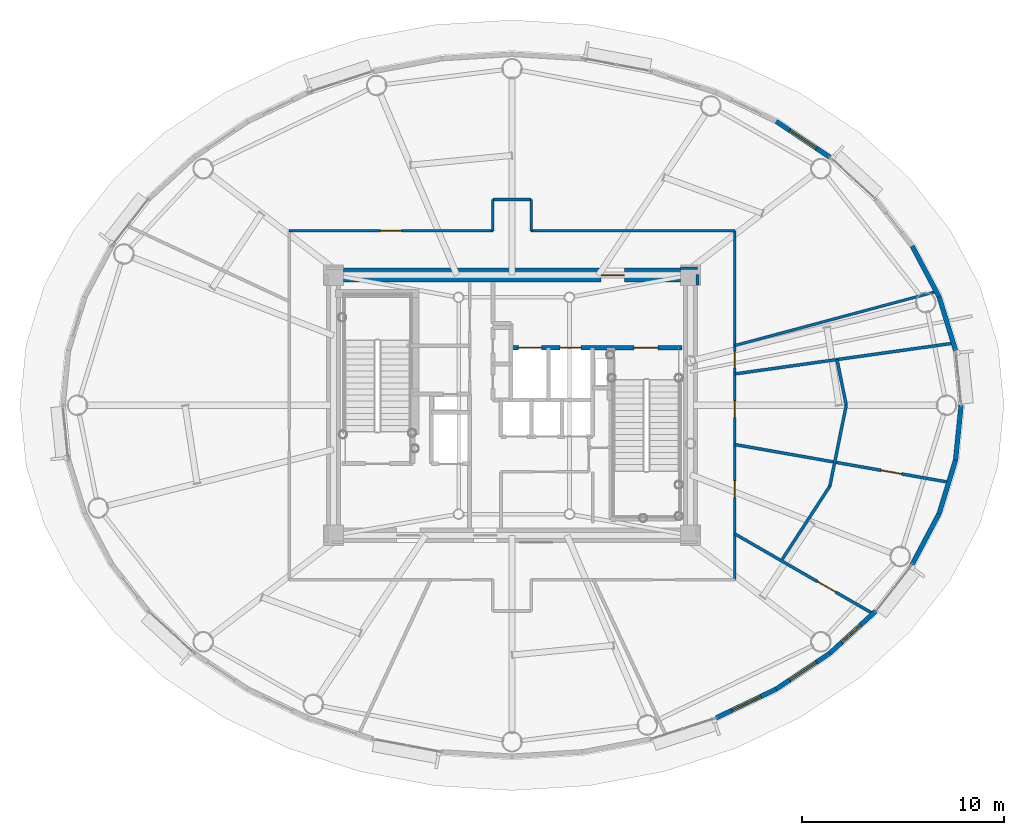
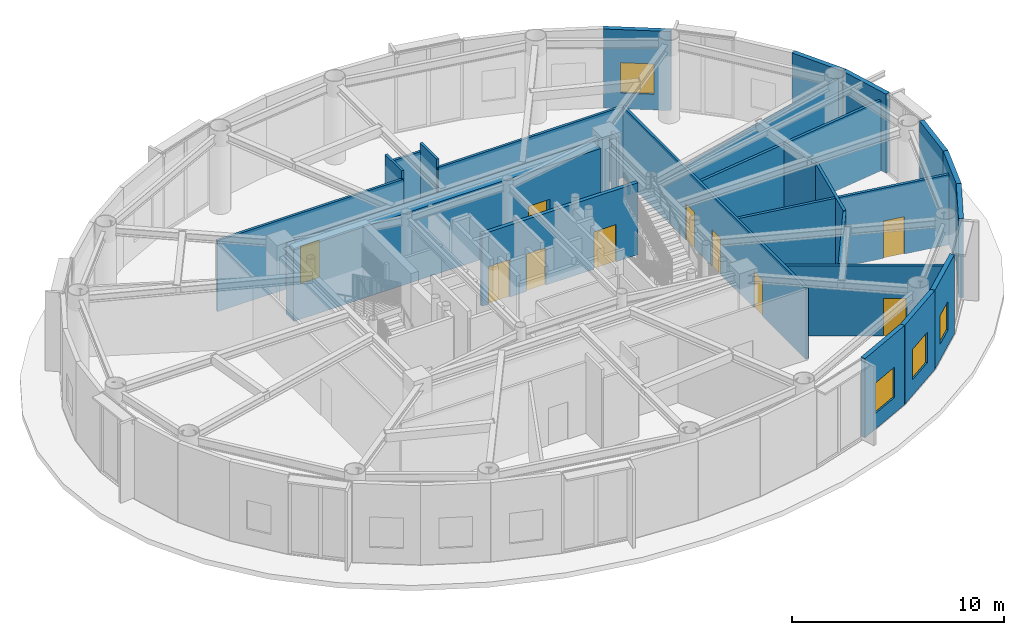
# One storey, part 24 of 32: 26 walls, 10 doors, 4 windows, 14 openings.
"""IFC4 building model written with IfcOpenShell, lengths in metres."""

from ifc_helpers import new_model, si_unit, direction, frame, frame_2d, origin, origin_2d, place, context, subcontext, project, spatial, rectangle, extrude, source, transform, mapped, material, layer, layer_set, type_object, element, fill, save


model = new_model("IFC4")

# Units and contexts
model_context = context("Model", 3, precision=1e-05, world=origin(), true_north=direction((0.0, 1.0)))
body_context = subcontext(model_context, "Body", "Model", "MODEL_VIEW")
ifc_project = project(units=[si_unit("LENGTHUNIT", "METRE"), si_unit("AREAUNIT", "SQUARE_METRE"), si_unit("VOLUMEUNIT", "CUBIC_METRE"), si_unit("PLANEANGLEUNIT", "RADIAN"), si_unit("MASSUNIT", "GRAM", prefix="KILO")], contexts=[model_context])

# Site, building, storey
site_placement = place(None, origin())
site = spatial("IfcSite", under=ifc_project, at=site_placement, CompositionType="ELEMENT")
building_placement = place(site_placement, origin())
building = spatial("IfcBuilding", under=site, at=building_placement, Name="Linh Dai School and Residence Tower", CompositionType="ELEMENT")
storey_placement = place(building_placement, frame((0.0, 0.0, 268.199951171875)))
storey = spatial("IfcBuildingStorey", under=building, at=storey_placement, Name="L66", CompositionType="ELEMENT", Elevation=268.199951171875)

# Walls
ifc_material_1 = material(Name="Precast Concrete B45 (C35/45)", Category="concrete")
ifc_layer_1 = layer(ifc_material_1, 0.239990234375)
ifc_layer_set_1 = layer_set([ifc_layer_1], Name="Precast Concrete B45 (C35/45)")
wall_type_1 = type_object("IfcWallType", Name="EW-TC-240", PredefinedType="SOLIDWALL", material=ifc_layer_set_1)
wall_1_placement = place(storey_placement, frame((57.188232421875, 32.372314453125, 0.0), z_axis=(0.0, 0.0, 1.0), x_axis=(0.2931213403, -0.956075248012, 0.0)))
element("IfcWall", 1, at=wall_1_placement, inside=storey, type_object=wall_type_1, Name="L66 Terracotta Exterior Wall 02", PredefinedType="SOLIDWALL", context=body_context, shape_type="SweptSolid", body=[
    extrude(rectangle(XDim=2.775146484375, YDim=0.239990234375, at=frame_2d((1.3876953125, 0.0))), origin(), (0.0, 0.0, 1.0), 4.550048828125),
])
wall_2_placement = place(storey_placement, frame((55.853759765625, 34.894775390625, 0.0), z_axis=(0.0, 0.0, 1.0), x_axis=(0.467628269026, -0.883925224218, 0.0)))
element("IfcWall", 2, at=wall_2_placement, inside=storey, type_object=wall_type_1, Name="L66 Terracotta Exterior Wall 03", PredefinedType="SOLIDWALL", context=body_context, shape_type="SweptSolid", body=[
    extrude(rectangle(XDim=2.853759765625, YDim=0.239990234375, at=frame_2d((1.4267578125, 0.0))), origin(), (0.0, 0.0, 1.0), 4.550048828125),
])

# Wall, opening, window
wall_3_placement = place(storey_placement, frame((49.1044921875, 41.08154296875, 0.0), z_axis=(0.0, 0.0, 1.0), x_axis=(0.831250592635, -0.55589787933, 0.0)))
wall_3 = element("IfcWall", 3, at=wall_3_placement, inside=storey, type_object=wall_type_1, Name="L66 Terracotta Exterior Wall 06", PredefinedType="SOLIDWALL", context=body_context, shape_type="SweptSolid", body=[
    extrude(rectangle(XDim=3.197265625, YDim=0.239990234375, at=frame_2d((1.5986328125, 0.0))), origin(), (0.0, 0.0, 1.0), 4.550048828125),
])
opening_1_placement = place(wall_3_placement, frame((0.79833984375, 0.0, 0.89990234375)))
opening_1 = element("IfcOpeningElement", 4, at=opening_1_placement, cuts=wall_3, Name="Opening W2", PredefinedType="OPENING", context=body_context, shape_type="SweptSolid", body=[
    extrude(rectangle(XDim=1.60009765625, YDim=1.75, at=origin_2d()), frame((0.800048828125, 0.1298828125, 0.875), z_axis=(0.0, -1.0, 0.0), x_axis=(1.0, 0.0, 0.0)), (0.0, 0.0, 1.0), 0.260009765625),
])
ifc_material_2 = material(Name="Double Low-E Insulated Glazing", Category="glass")
window_type_1 = type_object("IfcWindowType", Name="WN-RES-1600x1750", PartitioningType="DOUBLE_PANEL_VERTICAL", PredefinedType="WINDOW", material=ifc_material_2)
shared_shape_1 = source(origin(), body_context, "Body", "SweptSolid", [
    extrude(rectangle(XDim=1.60009765625, YDim=1.75, at=origin_2d()), frame((0.800048828125, 0.030029296875, 0.875), z_axis=(0.0, -1.0, 0.0), x_axis=(1.0, 0.0, 0.0)), (0.0, 0.0, 1.0), 0.06005859375),
])
window_1_placement = place(opening_1_placement, origin())
window_1 = element("IfcWindow", 5, at=window_1_placement, inside=storey, type_object=window_type_1, Name="L66 Exterior Window 06.1", OverallHeight=1.75, OverallWidth=1.60009765625, PartitioningType="DOUBLE_PANEL_VERTICAL", PredefinedType="WINDOW", context=body_context, shape_type="MappedRepresentation", body=[
    mapped(shared_shape_1, transform((0.0, 0.0, 0.0), x_axis=(1.0, 0.0, 0.0), y_axis=(0.0, 1.0, 0.0), z_axis=(0.0, 0.0, 1.0), scale=1.0)),
])
fill(opening_1, window_1)

wall_4_placement = place(storey_placement, frame((49.1044921875, 12.91845703125, 0.0), z_axis=(0.0, 0.0, 1.0), x_axis=(-0.901573741254, -0.43262546051, 0.0)))
wall_4 = element("IfcWall", 6, at=wall_4_placement, inside=storey, type_object=wall_type_1, Name="L66 Terracotta Exterior Wall 34", PredefinedType="SOLIDWALL", context=body_context, shape_type="SweptSolid", body=[
    extrude(rectangle(XDim=3.306884765625, YDim=0.239990234375, at=frame_2d((1.6533203125, 0.0))), origin(), (0.0, 0.0, 1.0), 4.550048828125),
])
opening_2_placement = place(wall_4_placement, frame((0.853515625, 0.0, 0.89990234375)))
opening_2 = element("IfcOpeningElement", 7, at=opening_2_placement, cuts=wall_4, Name="Opening W2", PredefinedType="OPENING", context=body_context, shape_type="SweptSolid", body=[
    extrude(rectangle(XDim=1.60009765625, YDim=1.75, at=origin_2d()), frame((0.800048828125, 0.1298828125, 0.875), z_axis=(0.0, -1.0, 0.0), x_axis=(1.0, 0.0, 0.0)), (0.0, 0.0, 1.0), 0.260009765625),
])
window_2_placement = place(opening_2_placement, origin())
window_2 = element("IfcWindow", 8, at=window_2_placement, inside=storey, type_object=window_type_1, Name="L66 Exterior Window 34.1", OverallHeight=1.75, OverallWidth=1.60009765625, PartitioningType="DOUBLE_PANEL_VERTICAL", PredefinedType="WINDOW", context=body_context, shape_type="MappedRepresentation", body=[
    mapped(shared_shape_1, transform((0.0, 0.0, 0.0), x_axis=(1.0, 0.0, 0.0), y_axis=(0.0, 1.0, 0.0), z_axis=(0.0, 0.0, 1.0), scale=1.0)),
])
fill(opening_2, window_2)

wall_5_placement = place(storey_placement, frame((51.76220703125, 14.69580078125, 0.0), z_axis=(0.0, 0.0, 1.0), x_axis=(-0.831250592635, -0.55589787933, 0.0)))
wall_5 = element("IfcWall", 9, at=wall_5_placement, inside=storey, type_object=wall_type_1, Name="L66 Terracotta Exterior Wall 35", PredefinedType="SOLIDWALL", context=body_context, shape_type="SweptSolid", body=[
    extrude(rectangle(XDim=3.197265625, YDim=0.239990234375, at=frame_2d((1.5986328125, 0.0))), origin(), (0.0, 0.0, 1.0), 4.550048828125),
])
opening_3_placement = place(wall_5_placement, frame((0.798583984375, 0.0, 0.89990234375)))
opening_3 = element("IfcOpeningElement", 10, at=opening_3_placement, cuts=wall_5, Name="Opening W2", PredefinedType="OPENING", context=body_context, shape_type="SweptSolid", body=[
    extrude(rectangle(XDim=1.60009765625, YDim=1.75, at=origin_2d()), frame((0.800048828125, 0.1298828125, 0.875), z_axis=(0.0, -1.0, 0.0), x_axis=(1.0, 0.0, 0.0)), (0.0, 0.0, 1.0), 0.260009765625),
])
window_3_placement = place(opening_3_placement, origin())
window_3 = element("IfcWindow", 11, at=window_3_placement, inside=storey, type_object=window_type_1, Name="L66 Exterior Window 35.1", OverallHeight=1.75, OverallWidth=1.60009765625, PartitioningType="DOUBLE_PANEL_VERTICAL", PredefinedType="WINDOW", context=body_context, shape_type="MappedRepresentation", body=[
    mapped(shared_shape_1, transform((0.0, 0.0, 0.0), x_axis=(1.0, 0.0, 0.0), y_axis=(0.0, 1.0, 0.0), z_axis=(0.0, 0.0, 1.0), scale=1.0)),
])
fill(opening_3, window_3)

wall_6_placement = place(storey_placement, frame((54.0302734375, 16.775390625, 0.0), z_axis=(0.0, 0.0, 1.0), x_axis=(-0.737068506972, -0.675818034703, 0.0)))
wall_6 = element("IfcWall", 12, at=wall_6_placement, inside=storey, type_object=wall_type_1, Name="L66 Terracotta Exterior Wall 36", PredefinedType="SOLIDWALL", context=body_context, shape_type="SweptSolid", body=[
    extrude(rectangle(XDim=3.0771484375, YDim=0.239990234375, at=frame_2d((1.53857421875, 0.0))), origin(), (0.0, 0.0, 1.0), 4.550048828125),
])
opening_4_placement = place(wall_6_placement, frame((1.012451171875, 0.0, 0.89990234375)))
opening_4 = element("IfcOpeningElement", 13, at=opening_4_placement, cuts=wall_6, Name="Opening W3", PredefinedType="OPENING", context=body_context, shape_type="SweptSolid", body=[
    extrude(rectangle(XDim=1.25, YDim=1.64990234375, at=origin_2d()), frame((0.625, 0.1298828125, 0.824951171875), z_axis=(0.0, -1.0, 0.0), x_axis=(1.0, 0.0, 0.0)), (0.0, 0.0, 1.0), 0.260009765625),
])
window_type_2 = type_object("IfcWindowType", Name="WN-RES-1250x1650", PartitioningType="SINGLE_PANEL", PredefinedType="WINDOW", material=ifc_material_2)
shared_shape_2 = source(origin(), body_context, "Body", "SweptSolid", [
    extrude(rectangle(XDim=1.25, YDim=1.64990234375, at=origin_2d()), frame((0.625, 0.030029296875, 0.824951171875), z_axis=(0.0, -1.0, 0.0), x_axis=(1.0, 0.0, 0.0)), (0.0, 0.0, 1.0), 0.06005859375),
])
window_4_placement = place(opening_4_placement, origin())
window_4 = element("IfcWindow", 14, at=window_4_placement, inside=storey, type_object=window_type_2, Name="L66 Exterior Window 36.1", OverallHeight=1.64990234375, OverallWidth=1.25, PartitioningType="SINGLE_PANEL", PredefinedType="WINDOW", context=body_context, shape_type="MappedRepresentation", body=[
    mapped(shared_shape_2, transform((0.0, 0.0, 0.0), x_axis=(1.0, 0.0, 0.0), y_axis=(0.0, 1.0, 0.0), z_axis=(0.0, 0.0, 1.0), scale=1.0)),
])
fill(opening_4, window_4)

# Walls
wall_7_placement = place(storey_placement, frame((57.188232421875, 21.627685546875, 0.0), z_axis=(0.0, 0.0, 1.0), x_axis=(-0.467628269026, -0.883925224218, 0.0)))
element("IfcWall", 15, at=wall_7_placement, inside=storey, type_object=wall_type_1, Name="L66 Terracotta Exterior Wall 38", PredefinedType="SOLIDWALL", context=body_context, shape_type="SweptSolid", body=[
    extrude(rectangle(XDim=2.853759765625, YDim=0.239990234375, at=frame_2d((1.4267578125, 0.0))), origin(), (0.0, 0.0, 1.0), 4.550048828125),
])
wall_8_placement = place(storey_placement, frame((58.001708984375, 24.281005859375, 0.0), z_axis=(0.0, 0.0, 1.0), x_axis=(-0.2931213403, -0.956075248012, 0.0)))
element("IfcWall", 16, at=wall_8_placement, inside=storey, type_object=wall_type_1, Name="L66 Terracotta Exterior Wall 39", PredefinedType="SOLIDWALL", context=body_context, shape_type="SweptSolid", body=[
    extrude(rectangle(XDim=2.775146484375, YDim=0.239990234375, at=frame_2d((1.3876953125, 0.0))), origin(), (0.0, 0.0, 1.0), 4.550048828125),
])
wall_9_placement = place(storey_placement, frame((58.27490234375, 27.0, 0.0), z_axis=(0.0, 0.0, 1.0), x_axis=(-0.099972526841, -0.99499019788, 0.0)))
element("IfcWall", 17, at=wall_9_placement, inside=storey, type_object=wall_type_1, Name="L66 Terracotta Exterior Wall 40", PredefinedType="SOLIDWALL", context=body_context, shape_type="SweptSolid", body=[
    extrude(rectangle(XDim=2.732666015625, YDim=0.239990234375, at=frame_2d((1.3662109375, 0.0))), origin(), (0.0, 0.0, 1.0), 4.550048828125),
])

# Wall, opening, door
ifc_material_3 = material(Name="Autoclaved Aerated Concrete Blockwork", Category="masonry")
ifc_layer_2 = layer(ifc_material_3, 0.135009765625)
ifc_layer_set_2 = layer_set([ifc_layer_2], Name="Autoclaved Aerated Concrete Blockwork")
wall_type_2 = type_object("IfcWallType", Name="IW-CORR-135-EI90", PredefinedType="PARTITIONING", material=ifc_layer_set_2)
wall_10_placement = place(storey_placement, frame((24.949951171875, 35.64990234375, 0.0), z_axis=(0.0, 0.0, 1.0), x_axis=(1.0, 0.0, 0.0)))
wall_10 = element("IfcWall", 18, at=wall_10_placement, inside=storey, type_object=wall_type_2, Name="L66 Interior Partition Wall 004", PredefinedType="PARTITIONING", context=body_context, shape_type="SweptSolid", body=[
    extrude(rectangle(XDim=10.10009765625, YDim=0.135009765625, at=frame_2d((5.050048828125, 0.0))), origin(), (0.0, 0.0, 1.0), 4.0849609375),
])
opening_5_placement = place(wall_10_placement, frame((4.52490234375, 0.0, 0.0)))
opening_5 = element("IfcOpeningElement", 19, at=opening_5_placement, cuts=wall_10, Name="Opening D04", PredefinedType="OPENING", context=body_context, shape_type="SweptSolid", body=[
    extrude(rectangle(XDim=1.050048828125, YDim=2.14990234375, at=origin_2d()), frame((0.52490234375, 0.07763671875, 1.074951171875), z_axis=(0.0, -1.0, 0.0), x_axis=(1.0, 0.0, 0.0)), (0.0, 0.0, 1.0), 0.155029296875),
])
ifc_material_4 = material(Name="Acoustic Vision-Panel Timber Classroom Door", Category="wood")
door_type_1 = type_object("IfcDoorType", Name="DR-SCH-1050x2150-FD60S", OperationType="NOTDEFINED", PredefinedType="DOOR", material=ifc_material_4)
shared_shape_3 = source(origin(), body_context, "Body", "SweptSolid", [
    extrude(rectangle(XDim=1.050048828125, YDim=2.14990234375, at=origin_2d()), frame((0.52490234375, 0.02490234375, 1.074951171875), z_axis=(0.0, -1.0, 0.0), x_axis=(1.0, 0.0, 0.0)), (0.0, 0.0, 1.0), 0.050048828125),
])
door_1_placement = place(opening_5_placement, origin())
door_1 = element("IfcDoor", 20, at=door_1_placement, inside=storey, type_object=door_type_1, Name="L66 High-Zone Sky Transfer Foyer Door", OperationType="SINGLE_SWING_RIGHT", OverallHeight=2.14990234375, OverallWidth=1.050048828125, PredefinedType="DOOR", context=body_context, shape_type="MappedRepresentation", body=[
    mapped(shared_shape_3, transform((0.0, 0.0, 0.0), x_axis=(1.0, 0.0, 0.0), y_axis=(0.0, 1.0, 0.0), z_axis=(0.0, 0.0, 1.0), scale=1.0)),
])
fill(opening_5, door_1)

# Walls
wall_11_placement = place(storey_placement, frame((35.050048828125, 35.64990234375, 0.0), z_axis=(0.0, 0.0, 1.0), x_axis=(0.0, 1.0, 0.0)))
element("IfcWall", 21, at=wall_11_placement, inside=storey, type_object=wall_type_2, Name="L66 Interior Partition Wall 023", PredefinedType="PARTITIONING", context=body_context, shape_type="SweptSolid", body=[
    extrude(rectangle(XDim=1.550048828125, YDim=0.135009765625, at=frame_2d((0.77490234375, 0.0))), origin(), (0.0, 0.0, 1.0), 4.550048828125),
])
wall_12_placement = place(storey_placement, frame((35.050048828125, 37.199951171875, 0.0), z_axis=(0.0, 0.0, 1.0), x_axis=(1.0, 0.0, 0.0)))
element("IfcWall", 22, at=wall_12_placement, inside=storey, type_object=wall_type_2, Name="L66 Interior Partition Wall 024", PredefinedType="PARTITIONING", context=body_context, shape_type="SweptSolid", body=[
    extrude(rectangle(XDim=1.89990234375, YDim=0.135009765625, at=frame_2d((0.949951171875, 0.0))), origin(), (0.0, 0.0, 1.0), 4.0849609375),
])
wall_13_placement = place(storey_placement, frame((36.949951171875, 35.64990234375, 0.0), z_axis=(0.0, 0.0, 1.0), x_axis=(0.0, 1.0, 0.0)))
element("IfcWall", 23, at=wall_13_placement, inside=storey, type_object=wall_type_2, Name="L66 Interior Partition Wall 033", PredefinedType="PARTITIONING", context=body_context, shape_type="SweptSolid", body=[
    extrude(rectangle(XDim=1.550048828125, YDim=0.135009765625, at=frame_2d((0.77490234375, 0.0))), origin(), (0.0, 0.0, 1.0), 4.550048828125),
])
wall_14_placement = place(storey_placement, frame((36.949951171875, 35.64990234375, 0.0), z_axis=(0.0, 0.0, 1.0), x_axis=(1.0, 0.0, 0.0)))
element("IfcWall", 24, at=wall_14_placement, inside=storey, type_object=wall_type_2, Name="L66 Interior Partition Wall 034", PredefinedType="PARTITIONING", context=body_context, shape_type="SweptSolid", body=[
    extrude(rectangle(XDim=10.10009765625, YDim=0.135009765625, at=frame_2d((5.050048828125, 0.0))), origin(), (0.0, 0.0, 1.0), 4.0849609375),
])

# Wall, openings, doors
wall_15_placement = place(storey_placement, frame((47.050048828125, 18.35009765625, 0.0), z_axis=(0.0, 0.0, 1.0), x_axis=(0.0, 1.0, 0.0)))
wall_15 = element("IfcWall", 25, at=wall_15_placement, inside=storey, type_object=wall_type_2, Name="L66 Interior Partition Wall 045", PredefinedType="PARTITIONING", context=body_context, shape_type="SweptSolid", body=[
    extrude(rectangle(XDim=17.2998046875, YDim=0.135009765625, at=frame_2d((8.64990234375, 0.0))), origin(), (0.0, 0.0, 1.0), 4.0849609375),
])
opening_6_placement = place(wall_15_placement, frame((4.075927734375, 0.0, 0.0)))
opening_6 = element("IfcOpeningElement", 26, at=opening_6_placement, cuts=wall_15, Name="Opening D06", PredefinedType="OPENING", context=body_context, shape_type="SweptSolid", body=[
    extrude(rectangle(XDim=0.820068359375, YDim=2.10009765625, at=origin_2d()), frame((0.41015625, 0.07763671875, 1.050048828125), z_axis=(0.0, -1.0, 0.0), x_axis=(1.0, 0.0, 0.0)), (0.0, 0.0, 1.0), 0.155029296875),
])
opening_7_placement = place(wall_15_placement, frame((8.042236328125, 0.0, 0.0)))
opening_7 = element("IfcOpeningElement", 27, at=opening_7_placement, cuts=wall_15, Name="Opening D06", PredefinedType="OPENING", context=body_context, shape_type="SweptSolid", body=[
    extrude(rectangle(XDim=0.820068359375, YDim=2.10009765625, at=origin_2d()), frame((0.41015625, 0.07763671875, 1.050048828125), z_axis=(0.0, -1.0, 0.0), x_axis=(1.0, 0.0, 0.0)), (0.0, 0.0, 1.0), 0.155029296875),
])
opening_8_placement = place(wall_15_placement, frame((10.496826171875, 0.0, 0.0)))
opening_8 = element("IfcOpeningElement", 28, at=opening_8_placement, cuts=wall_15, Name="Opening D06", PredefinedType="OPENING", context=body_context, shape_type="SweptSolid", body=[
    extrude(rectangle(XDim=0.820068359375, YDim=2.10009765625, at=origin_2d()), frame((0.41015625, 0.07763671875, 1.050048828125), z_axis=(0.0, -1.0, 0.0), x_axis=(1.0, 0.0, 0.0)), (0.0, 0.0, 1.0), 0.155029296875),
])
ifc_material_5 = material(Name="Moisture-Resistant Timber Bathroom Door", Category="wood")
door_type_2 = type_object("IfcDoorType", Name="DR-WET-820x2100", OperationType="NOTDEFINED", PredefinedType="DOOR", material=ifc_material_5)
shared_shape_4 = source(origin(), body_context, "Body", "SweptSolid", [
    extrude(rectangle(XDim=0.820068359375, YDim=2.10009765625, at=origin_2d()), frame((0.41015625, 0.02490234375, 1.050048828125), z_axis=(0.0, -1.0, 0.0), x_axis=(1.0, 0.0, 0.0)), (0.0, 0.0, 1.0), 0.050048828125),
])
door_2_placement = place(opening_6_placement, origin())
door_2 = element("IfcDoor", 29, at=door_2_placement, inside=storey, type_object=door_type_2, Name="L66 High-Zone Sky Foyer Male WC Door", OperationType="SINGLE_SWING_RIGHT", OverallHeight=2.10009765625, OverallWidth=0.820068359375, PredefinedType="DOOR", context=body_context, shape_type="MappedRepresentation", body=[
    mapped(shared_shape_4, transform((0.0, 0.0, 0.0), x_axis=(1.0, 0.0, 0.0), y_axis=(0.0, 1.0, 0.0), z_axis=(0.0, 0.0, 1.0), scale=1.0)),
])
fill(opening_6, door_2)
door_3_placement = place(opening_7_placement, origin())
door_3 = element("IfcDoor", 30, at=door_3_placement, inside=storey, type_object=door_type_2, Name="L66 High-Zone Sky Foyer Female WC Door", OperationType="SINGLE_SWING_RIGHT", OverallHeight=2.10009765625, OverallWidth=0.820068359375, PredefinedType="DOOR", context=body_context, shape_type="MappedRepresentation", body=[
    mapped(shared_shape_4, transform((0.0, 0.0, 0.0), x_axis=(1.0, 0.0, 0.0), y_axis=(0.0, 1.0, 0.0), z_axis=(0.0, 0.0, 1.0), scale=1.0)),
])
fill(opening_7, door_3)
door_4_placement = place(opening_8_placement, origin())
door_4 = element("IfcDoor", 31, at=door_4_placement, inside=storey, type_object=door_type_2, Name="L66 High-Zone Sky Foyer Accessible WC Door", OperationType="SINGLE_SWING_RIGHT", OverallHeight=2.10009765625, OverallWidth=0.820068359375, PredefinedType="DOOR", context=body_context, shape_type="MappedRepresentation", body=[
    mapped(shared_shape_4, transform((0.0, 0.0, 0.0), x_axis=(1.0, 0.0, 0.0), y_axis=(0.0, 1.0, 0.0), z_axis=(0.0, 0.0, 1.0), scale=1.0)),
])
fill(opening_8, door_4)

# Walls
wall_16_placement = place(storey_placement, frame((47.050048828125, 29.9609375, 0.0), z_axis=(0.0, 0.0, 1.0), x_axis=(0.965926265822, 0.258817404739, 0.0)))
element("IfcWall", 32, at=wall_16_placement, inside=storey, type_object=wall_type_2, Name="L66 Interior Partition Wall 049", PredefinedType="PARTITIONING", context=body_context, shape_type="SweptSolid", body=[
    extrude(rectangle(XDim=10.3544921875, YDim=0.135009765625, at=frame_2d((5.17724609375, 0.0))), origin(), (0.0, 0.0, 1.0), 4.03515625),
])
wall_17_placement = place(storey_placement, frame((45.199951171875, 33.800048828125, 0.0), z_axis=(0.0, 0.0, 1.0), x_axis=(-1.0, 0.0, 0.0)))
element("IfcWall", 33, at=wall_17_placement, inside=storey, type_object=wall_type_2, Name="L66 Interior Partition Wall 055", PredefinedType="PARTITIONING", context=body_context, shape_type="SweptSolid", body=[
    extrude(rectangle(XDim=0.83984375, YDim=0.135009765625, at=frame_2d((0.419921875, 0.0))), origin(), (0.0, 0.0, 1.0), 4.0849609375),
])
wall_18_placement = place(storey_placement, frame((45.199951171875, 32.9599609375, 0.0), z_axis=(0.0, 0.0, 1.0), x_axis=(0.0, 1.0, 0.0)))
element("IfcWall", 34, at=wall_18_placement, inside=storey, type_object=wall_type_2, Name="L66 Interior Partition Wall 062", PredefinedType="PARTITIONING", context=body_context, shape_type="SweptSolid", body=[
    extrude(rectangle(XDim=0.532470703125, YDim=0.135009765625, at=frame_2d((0.26611328125, 0.0))), origin(), (0.0, 0.0, 1.0), 4.550048828125),
])

# Wall, opening, door
ifc_layer_3 = layer(ifc_material_3, 0.14990234375)
ifc_layer_set_3 = layer_set([ifc_layer_3], Name="Autoclaved Aerated Concrete Blockwork")
wall_type_3 = type_object("IfcWallType", Name="IW-SCH-150-EI60", PredefinedType="PARTITIONING", material=ifc_layer_set_3)
wall_19_placement = place(storey_placement, frame((47.050048828125, 20.620361328125, 0.0), z_axis=(0.0, 0.0, 1.0), x_axis=(0.866021364002, -0.500006997044, 0.0)))
wall_19 = element("IfcWall", 35, at=wall_19_placement, inside=storey, type_object=wall_type_3, Name="L66 Interior Partition Wall 046", PredefinedType="PARTITIONING", context=body_context, shape_type="SweptSolid", body=[
    extrude(rectangle(XDim=7.92236328125, YDim=0.14990234375, at=frame_2d((3.961181640625, 0.0))), origin(), (0.0, 0.0, 1.0), 4.03515625),
])
opening_9_placement = place(wall_19_placement, frame((4.730712890625, 0.0, 0.0)))
opening_9 = element("IfcOpeningElement", 36, at=opening_9_placement, cuts=wall_19, Name="Opening D04", PredefinedType="OPENING", context=body_context, shape_type="SweptSolid", body=[
    extrude(rectangle(XDim=1.050048828125, YDim=2.14990234375, at=origin_2d()), frame((0.52490234375, 0.0849609375, 1.074951171875), z_axis=(0.0, -1.0, 0.0), x_axis=(1.0, 0.0, 0.0)), (0.0, 0.0, 1.0), 0.169921875),
])
door_5_placement = place(opening_9_placement, origin())
door_5 = element("IfcDoor", 37, at=door_5_placement, inside=storey, type_object=door_type_1, Name="L66 High-Zone Sky Sitting Alcove MWC Door", OperationType="SINGLE_SWING_LEFT", OverallHeight=2.14990234375, OverallWidth=1.050048828125, PredefinedType="DOOR", context=body_context, shape_type="MappedRepresentation", body=[
    mapped(shared_shape_3, transform((0.0, 0.0, 0.0), x_axis=(1.0, 0.0, 0.0), y_axis=(0.0, 1.0, 0.0), z_axis=(0.0, 0.0, 1.0), scale=1.0)),
])
fill(opening_9, door_5)

wall_20_placement = place(storey_placement, frame((47.050048828125, 25.051513671875, 0.0), z_axis=(0.0, 0.0, 1.0), x_axis=(0.98480975996, -0.173636795318, 0.0)))
wall_20 = element("IfcWall", 38, at=wall_20_placement, inside=storey, type_object=wall_type_3, Name="L66 Interior Partition Wall 047", PredefinedType="PARTITIONING", context=body_context, shape_type="SweptSolid", body=[
    extrude(rectangle(XDim=10.782958984375, YDim=0.14990234375, at=frame_2d((5.3916015625, 0.0))), origin(), (0.0, 0.0, 1.0), 4.03515625),
])
opening_10_placement = place(wall_20_placement, frame((7.3623046875, 0.0, 0.0)))
opening_10 = element("IfcOpeningElement", 39, at=opening_10_placement, cuts=wall_20, Name="Opening D04", PredefinedType="OPENING", context=body_context, shape_type="SweptSolid", body=[
    extrude(rectangle(XDim=1.050048828125, YDim=2.14990234375, at=origin_2d()), frame((0.52490234375, 0.0849609375, 1.074951171875), z_axis=(0.0, -1.0, 0.0), x_axis=(1.0, 0.0, 0.0)), (0.0, 0.0, 1.0), 0.169921875),
])
door_6_placement = place(opening_10_placement, origin())
door_6 = element("IfcDoor", 40, at=door_6_placement, inside=storey, type_object=door_type_1, Name="L66 High-Zone Sky Sitting Alcove FWC Door", OperationType="SINGLE_SWING_LEFT", OverallHeight=2.14990234375, OverallWidth=1.050048828125, PredefinedType="DOOR", context=body_context, shape_type="MappedRepresentation", body=[
    mapped(shared_shape_3, transform((0.0, 0.0, 0.0), x_axis=(1.0, 0.0, 0.0), y_axis=(0.0, 1.0, 0.0), z_axis=(0.0, 0.0, 1.0), scale=1.0)),
])
fill(opening_10, door_6)

# Walls
wall_21_placement = place(storey_placement, frame((47.050048828125, 28.552978515625, 0.0), z_axis=(0.0, 0.0, 1.0), x_axis=(0.990268341347, 0.139171161254, 0.0)))
element("IfcWall", 41, at=wall_21_placement, inside=storey, type_object=wall_type_3, Name="L66 Interior Partition Wall 048", PredefinedType="PARTITIONING", context=body_context, shape_type="SweptSolid", body=[
    extrude(rectangle(XDim=10.95361328125, YDim=0.14990234375, at=frame_2d((5.476806640625, 0.0))), origin(), (0.0, 0.0, 1.0), 4.03515625),
])
wall_22_placement = place(storey_placement, frame((49.41015625, 19.370849609375, 0.0), z_axis=(0.0, 0.0, 1.0), x_axis=(0.545425615992, 0.838159231543, 0.0)))
element("IfcWall", 42, at=wall_22_placement, inside=storey, type_object=wall_type_3, Name="L66 Interior Partition Wall 050", PredefinedType="PARTITIONING", context=body_context, shape_type="SweptSolid", body=[
    extrude(rectangle(XDim=4.31689453125, YDim=0.14990234375, at=frame_2d((2.158447265625, 0.0))), origin(), (0.0, 0.0, 1.0), 4.03515625),
])
wall_23_placement = place(storey_placement, frame((51.7646484375, 22.989013671875, 0.0), z_axis=(0.0, 0.0, 1.0), x_axis=(0.198238065291, 0.98015390091, 0.0)))
element("IfcWall", 43, at=wall_23_placement, inside=storey, type_object=wall_type_3, Name="L66 Interior Partition Wall 051", PredefinedType="PARTITIONING", context=body_context, shape_type="SweptSolid", body=[
    extrude(rectangle(XDim=4.092529296875, YDim=0.14990234375, at=frame_2d((2.04638671875, 0.0))), origin(), (0.0, 0.0, 1.0), 4.0849609375),
])
wall_24_placement = place(storey_placement, frame((52.117919921875, 29.26513671875, 0.0), z_axis=(0.0, 0.0, 1.0), x_axis=(0.198187942802, -0.980164036949, 0.0)))
element("IfcWall", 44, at=wall_24_placement, inside=storey, type_object=wall_type_3, Name="L66 Interior Partition Wall 052", PredefinedType="PARTITIONING", context=body_context, shape_type="SweptSolid", body=[
    extrude(rectangle(XDim=2.31103515625, YDim=0.14990234375, at=frame_2d((1.155517578125, 0.0))), origin(), (0.0, 0.0, 1.0), 4.03515625),
])

# Wall, openings, doors
ifc_material_6 = material(Name="Concrete B45 (C35/45)", Category="concrete")
ifc_layer_4 = layer(ifc_material_6, 0.199951171875)
ifc_layer_set_4 = layer_set([ifc_layer_4], Name="Concrete B45 (C35/45)")
wall_type_4 = type_object("IfcWallType", Name="IW-SHAFT-200-EI120", PredefinedType="PARTITIONING", material=ifc_layer_set_4)
wall_25_placement = place(storey_placement, frame((35.949951171875, 29.85009765625, 0.0), z_axis=(0.0, 0.0, 1.0), x_axis=(1.0, 0.0, 0.0)))
wall_25 = element("IfcWall", 45, at=wall_25_placement, inside=storey, type_object=wall_type_4, Name="L66 Interior Partition Wall 030", PredefinedType="PARTITIONING", context=body_context, shape_type="SweptSolid", body=[
    extrude(rectangle(XDim=8.489990234375, YDim=0.199951171875, at=frame_2d((4.2451171875, 0.0))), origin(), (0.0, 0.0, 1.0), 4.135009765625),
])
opening_11_placement = place(wall_25_placement, frame((6.10009765625, 0.0, 0.0)))
opening_11 = element("IfcOpeningElement", 46, at=opening_11_placement, cuts=wall_25, Name="Opening D01", PredefinedType="OPENING", context=body_context, shape_type="SweptSolid", body=[
    extrude(rectangle(XDim=1.199951171875, YDim=2.14990234375, at=origin_2d()), frame((0.60009765625, 0.10986328125, 1.074951171875), z_axis=(0.0, -1.0, 0.0), x_axis=(1.0, 0.0, 0.0)), (0.0, 0.0, 1.0), 0.219970703125),
])
opening_12_placement = place(wall_25_placement, frame((0.3701171875, 0.0, 0.0)))
opening_12 = element("IfcOpeningElement", 47, at=opening_12_placement, cuts=wall_25, Name="Opening LD-FF1", PredefinedType="OPENING", context=body_context, shape_type="SweptSolid", body=[
    extrude(rectangle(XDim=1.14990234375, YDim=2.14990234375, at=origin_2d()), frame((0.574951171875, 0.10986328125, 1.074951171875), z_axis=(0.0, -1.0, 0.0), x_axis=(1.0, 0.0, 0.0)), (0.0, 0.0, 1.0), 0.219970703125),
])
opening_13_placement = place(wall_25_placement, frame((2.425048828125, 0.0, 0.0)))
opening_13 = element("IfcOpeningElement", 48, at=opening_13_placement, cuts=wall_25, Name="Opening LD-SV1", PredefinedType="OPENING", context=body_context, shape_type="SweptSolid", body=[
    extrude(rectangle(XDim=1.050048828125, YDim=2.14990234375, at=origin_2d()), frame((0.52490234375, 0.10986328125, 1.074951171875), z_axis=(0.0, -1.0, 0.0), x_axis=(1.0, 0.0, 0.0)), (0.0, 0.0, 1.0), 0.219970703125),
])
ifc_material_7 = material(Name="Fire-Rated Steel Door Leaf", Category="steel")
door_type_3 = type_object("IfcDoorType", Name="DR-STAIR-1200x2150-FD90S", OperationType="NOTDEFINED", PredefinedType="DOOR", material=ifc_material_7)
shared_shape_5 = source(origin(), body_context, "Body", "SweptSolid", [
    extrude(rectangle(XDim=1.199951171875, YDim=2.14990234375, at=origin_2d()), frame((0.60009765625, 0.02490234375, 1.074951171875), z_axis=(0.0, -1.0, 0.0), x_axis=(1.0, 0.0, 0.0)), (0.0, 0.0, 1.0), 0.050048828125),
])
door_7_placement = place(opening_11_placement, origin())
door_7 = element("IfcDoor", 49, at=door_7_placement, inside=storey, type_object=door_type_3, Name="L66 Core Smokeproof Exit Stair ST2 Door", OperationType="SINGLE_SWING_RIGHT", OverallHeight=2.14990234375, OverallWidth=1.199951171875, PredefinedType="DOOR", context=body_context, shape_type="MappedRepresentation", body=[
    mapped(shared_shape_5, transform((0.0, 0.0, 0.0), x_axis=(1.0, 0.0, 0.0), y_axis=(0.0, 1.0, 0.0), z_axis=(0.0, 0.0, 1.0), scale=1.0)),
])
fill(opening_11, door_7)
ifc_material_8 = material(Name="Fire-Rated Stainless Steel Firefighting Lift Door", Category="steel")
door_type_4 = type_object("IfcDoorType", Name="DR-LD-FF-1150x2150-FD120", OperationType="DOUBLE_DOOR_SLIDING", PredefinedType="USERDEFINED", material=ifc_material_8)
shared_shape_6 = source(origin(), body_context, "Body", "SweptSolid", [
    extrude(rectangle(XDim=1.14990234375, YDim=2.14990234375, at=origin_2d()), frame((0.574951171875, 0.02490234375, 1.074951171875), z_axis=(0.0, -1.0, 0.0), x_axis=(1.0, 0.0, 0.0)), (0.0, 0.0, 1.0), 0.050048828125),
])
door_8_placement = place(opening_12_placement, origin())
door_8 = element("IfcDoor", 50, at=door_8_placement, inside=storey, type_object=door_type_4, Name="L66 Lift FF1 Sliding Landing Door", ObjectType="LANDING DOOR", OperationType="DOUBLE_DOOR_SLIDING", OverallHeight=2.14990234375, OverallWidth=1.14990234375, PredefinedType="USERDEFINED", context=body_context, shape_type="MappedRepresentation", body=[
    mapped(shared_shape_6, transform((0.0, 0.0, 0.0), x_axis=(1.0, 0.0, 0.0), y_axis=(0.0, 1.0, 0.0), z_axis=(0.0, 0.0, 1.0), scale=1.0)),
])
fill(opening_12, door_8)
ifc_material_9 = material(Name="Brushed Stainless Steel Lift Landing Door", Category="steel")
door_type_5 = type_object("IfcDoorType", Name="DR-LD-PASS-1050x2150", OperationType="DOUBLE_DOOR_SLIDING", PredefinedType="USERDEFINED", material=ifc_material_9)
shared_shape_7 = source(origin(), body_context, "Body", "SweptSolid", [
    extrude(rectangle(XDim=1.050048828125, YDim=2.14990234375, at=origin_2d()), frame((0.52490234375, 0.02490234375, 1.074951171875), z_axis=(0.0, -1.0, 0.0), x_axis=(1.0, 0.0, 0.0)), (0.0, 0.0, 1.0), 0.050048828125),
])
door_9_placement = place(opening_13_placement, origin())
door_9 = element("IfcDoor", 51, at=door_9_placement, inside=storey, type_object=door_type_5, Name="L66 Lift SV1 Sliding Landing Door", ObjectType="LANDING DOOR", OperationType="DOUBLE_DOOR_SLIDING", OverallHeight=2.14990234375, OverallWidth=1.050048828125, PredefinedType="USERDEFINED", context=body_context, shape_type="MappedRepresentation", body=[
    mapped(shared_shape_7, transform((0.0, 0.0, 0.0), x_axis=(1.0, 0.0, 0.0), y_axis=(0.0, 1.0, 0.0), z_axis=(0.0, 0.0, 1.0), scale=1.0)),
])
fill(opening_13, door_9)

# Wall, opening, door
ifc_layer_5 = layer(ifc_material_6, 0.699951171875)
ifc_layer_set_5 = layer_set([ifc_layer_5], Name="Concrete B45 (C35/45)")
wall_type_5 = type_object("IfcWallType", Name="WL-CORE700", PredefinedType="SHEAR", material=ifc_layer_set_5)
wall_26_placement = place(storey_placement, frame((27.64990234375, 33.449951171875, 0.0), z_axis=(0.0, 0.0, 1.0), x_axis=(1.0, 0.0, 0.0)))
wall_26 = element("IfcWall", 52, at=wall_26_placement, inside=storey, type_object=wall_type_5, Name="L66 Central Core Shear Wall N", PredefinedType="SHEAR", context=body_context, shape_type="SweptSolid", body=[
    extrude(rectangle(XDim=16.7001953125, YDim=0.699951171875, at=frame_2d((8.35009765625, 0.0))), origin(), (0.0, 0.0, 1.0), 4.10009765625),
])
opening_14_placement = place(wall_26_placement, frame((12.77490234375, 0.0, 0.0)))
opening_14 = element("IfcOpeningElement", 53, at=opening_14_placement, cuts=wall_26, Name="Opening D02", PredefinedType="OPENING", context=body_context, shape_type="SweptSolid", body=[
    extrude(rectangle(XDim=1.14990234375, YDim=2.14990234375, at=origin_2d()), frame((0.574951171875, 0.35986328125, 1.074951171875), z_axis=(0.0, -1.0, 0.0), x_axis=(1.0, 0.0, 0.0)), (0.0, 0.0, 1.0), 0.719970703125),
])
ifc_material_10 = material(Name="Fire-Rated Glazed Steel Lobby Door", Category="steel")
door_type_6 = type_object("IfcDoorType", Name="DR-LOBBY-1150x2150-FD90S", OperationType="NOTDEFINED", PredefinedType="DOOR", material=ifc_material_10)
shared_shape_8 = source(origin(), body_context, "Body", "SweptSolid", [
    extrude(rectangle(XDim=1.14990234375, YDim=2.14990234375, at=origin_2d()), frame((0.574951171875, 0.02490234375, 1.074951171875), z_axis=(0.0, -1.0, 0.0), x_axis=(1.0, 0.0, 0.0)), (0.0, 0.0, 1.0), 0.050048828125),
])
door_10_placement = place(opening_14_placement, origin())
door_10 = element("IfcDoor", 54, at=door_10_placement, inside=storey, type_object=door_type_6, Name="L66 Firefighting Lobby Door", OperationType="SINGLE_SWING_LEFT", OverallHeight=2.14990234375, OverallWidth=1.14990234375, PredefinedType="DOOR", context=body_context, shape_type="MappedRepresentation", body=[
    mapped(shared_shape_8, transform((0.0, 0.0, 0.0), x_axis=(1.0, 0.0, 0.0), y_axis=(0.0, 1.0, 0.0), z_axis=(0.0, 0.0, 1.0), scale=1.0)),
])
fill(opening_14, door_10)

save(model, "model.ifc")
